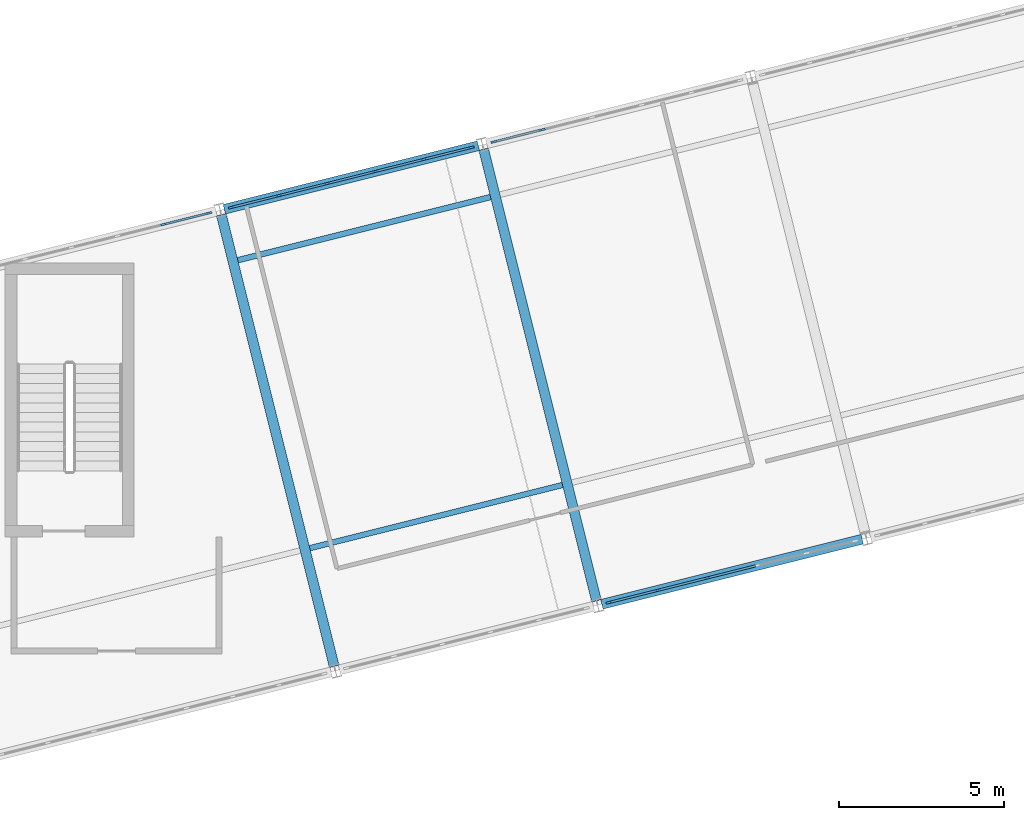
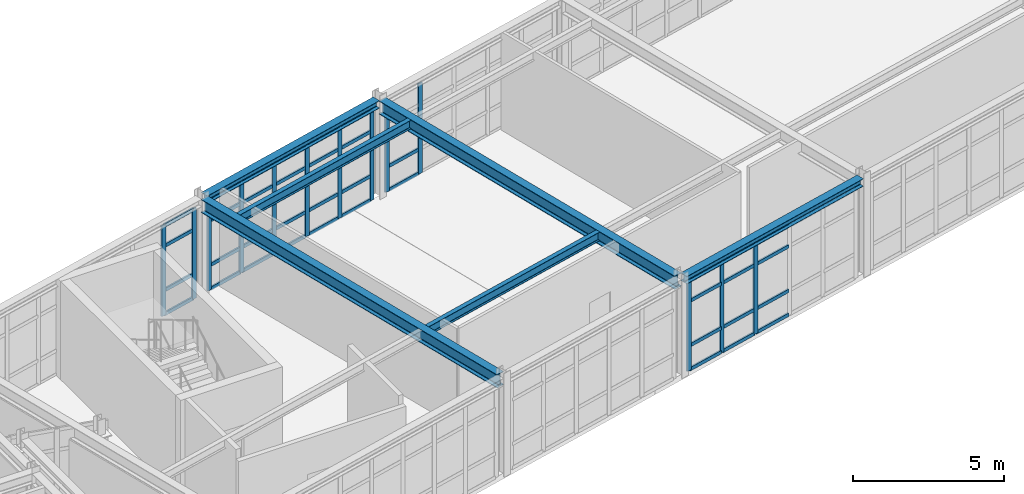
# One storey, part 19 of 76: 51 members, 6 beams, 4 elements without a shape of their own.
"""IFC4 building model written with IfcOpenShell, lengths in metres."""

from ifc_helpers import new_model, si_unit, direction, frame, origin, origin_2d, place, context, subcontext, project, spatial, rectangle, i_section, extrude, material, layer, layer_set, material_profile, profile_set, type_object, element, aggregate, save


model = new_model("IFC4")

# Units and contexts
model_context = context("Model", 3, precision=1e-05, world=origin(), true_north=direction((0.0, 1.0)))
body_context = subcontext(model_context, "Body", "Model", "MODEL_VIEW")
ifc_project = project(units=[si_unit("LENGTHUNIT", "METRE"), si_unit("AREAUNIT", "SQUARE_METRE"), si_unit("VOLUMEUNIT", "CUBIC_METRE"), si_unit("PLANEANGLEUNIT", "RADIAN"), si_unit("MASSUNIT", "GRAM", prefix="KILO")], contexts=[model_context])

# Site, building, storey
site_placement = place(None, origin())
site = spatial("IfcSite", under=ifc_project, at=site_placement, CompositionType="ELEMENT")
building_placement = place(site_placement, origin())
building = spatial("IfcBuilding", under=site, at=building_placement, Name="Nordkorset Police Headquarters", CompositionType="ELEMENT")
storey_placement = place(building_placement, frame((0.0, 0.0, 13.64990234375)))
storey = spatial("IfcBuildingStorey", under=building, at=storey_placement, Name="L03", CompositionType="ELEMENT", Elevation=13.64990234375)

# Beams
ifc_material_1 = material(Name="Steel S355J2", Category="steel")
ifc_material_profile_1 = material_profile(ifc_material_1, i_section(OverallWidth=0.169921875, OverallDepth=0.360107421875, WebThickness=0.008056640625, FlangeThickness=0.0126953125, FilletRadius=0.01806640625, at=origin_2d()), Name="IPE 360")
ifc_profile_set_1 = profile_set([ifc_material_profile_1], Name="Steel S355J2")
beam_type_1 = type_object("IfcBeamType", Name="Beam_IPE_360", PredefinedType="BEAM", material=ifc_profile_set_1)
for number, where, z_axis, x_axis, name in (
    (1, (34.65966796875, 48.681884765625, 3.800048828125), (0.970142500145, 0.242535625036, 0.0), (-0.242535625036, 0.970142500145, 0.0), "Splayed Wing Secondary Beam L03 1-1"),
    (2, (32.476806640625, 57.4130859375, 3.800048828125), (0.970142500145, 0.242535625036, 0.0), (-0.242535625036, 0.970142500145, 0.0), "Splayed Wing Secondary Beam L03 1-2"),
):
    element("IfcBeam", number, at=place(storey_placement, frame(where, z_axis=z_axis, x_axis=x_axis)), inside=storey, type_object=beam_type_1, Name=name, PredefinedType="BEAM", context=body_context, shape_type="SweptSolid", body=[
        extrude(i_section(OverallWidth=0.169921875, OverallDepth=0.360107421875, WebThickness=0.008056640625, FlangeThickness=0.0126953125, FilletRadius=0.01806640625, at=origin_2d()), origin(), (0.0, 0.0, 1.0), 7.89990234375),
    ])

# Curtain wall, members
ifc_material_2 = material(Name="Aluminium alloy AW-6060", Category="aluminium")
ifc_layer_1 = layer(ifc_material_2, 0.179931640625, Name="Aluminium alloy AW-6060")
ifc_layer_set_1 = layer_set([ifc_layer_1], Name="Aluminium alloy AW-6060")
curtain_wall_type_1 = type_object("IfcCurtainWallType", Name="CW_Unit_1156x365", PredefinedType="USERDEFINED", material=ifc_layer_set_1)
curtain_wall_1_placement = place(storey_placement, origin())
curtain_wall_1 = element("IfcCurtainWall", 3, at=curtain_wall_1_placement, inside=storey, type_object=curtain_wall_type_1, Name="Unitised Curtain Wall L03 V4N-0", ObjectType="UNITISED CURTAIN WALL", PredefinedType="USERDEFINED")
ifc_material_3 = material(Name="Aluminium alloy AW-6060", Category="aluminium")
ifc_material_profile_2 = material_profile(ifc_material_3, rectangle(XDim=0.06494140625, YDim=0.179931640625, at=origin_2d()), Name="ALU MULL 65x180")
ifc_profile_set_2 = profile_set([ifc_material_profile_2], Name="Aluminium alloy AW-6060")
member_type_1 = type_object("IfcMemberType", Name="CW_Mullion_65x180", PredefinedType="MULLION", material=ifc_profile_set_2)
member_1_placement = place(storey_placement, frame((30.23095703125, 58.5009765625, 0.0), z_axis=(0.0, 0.0, 1.0), x_axis=(-0.242536235663, 0.970142347489, 0.0)))
member_1 = element("IfcMember", 4, at=member_1_placement, type_object=member_type_1, Name="CW-38 mullion 8", PredefinedType="MULLION", context=body_context, shape_type="SweptSolid", body=[
    extrude(rectangle(XDim=0.06494140625, YDim=0.179931640625, at=origin_2d()), origin(), (0.0, 0.0, 1.0), 3.650146484375),
])
member_2_placement = place(storey_placement, frame((31.601318359375, 58.843505859375, 0.0), z_axis=(0.0, 0.0, 1.0), x_axis=(-0.242536235663, 0.970142347489, 0.0)))
member_2 = element("IfcMember", 5, at=member_2_placement, type_object=member_type_1, Name="CW-38 mullion 9", PredefinedType="MULLION", context=body_context, shape_type="SweptSolid", body=[
    extrude(rectangle(XDim=0.06494140625, YDim=0.179931640625, at=origin_2d()), origin(), (0.0, 0.0, 1.0), 3.650146484375),
])

ifc_material_4 = material(Name="Aluminium alloy AW-6060", Category="aluminium")
ifc_layer_2 = layer(ifc_material_4, 0.179931640625, Name="Aluminium alloy AW-6060")
ifc_layer_set_2 = layer_set([ifc_layer_2], Name="Aluminium alloy AW-6060")
curtain_wall_type_2 = type_object("IfcCurtainWallType", Name="CW_Unit_756x365", PredefinedType="USERDEFINED", material=ifc_layer_set_2)
curtain_wall_2_placement = place(storey_placement, origin())
curtain_wall_2 = element("IfcCurtainWall", 6, at=curtain_wall_2_placement, inside=storey, type_object=curtain_wall_type_2, Name="Unitised Curtain Wall L03 V4N-1", ObjectType="UNITISED CURTAIN WALL", PredefinedType="USERDEFINED")
member_3_placement = place(storey_placement, frame((32.28515625, 59.014404296875, 0.0), z_axis=(0.0, 0.0, 1.0), x_axis=(-0.242535625038, 0.970142500145, 0.0)))
member_3 = element("IfcMember", 7, at=member_3_placement, type_object=member_type_1, Name="CW-104 mullion 1", PredefinedType="MULLION", context=body_context, shape_type="SweptSolid", body=[
    extrude(rectangle(XDim=0.06494140625, YDim=0.179931640625, at=origin_2d()), origin(), (0.0, 0.0, 1.0), 3.650146484375),
])
member_4_placement = place(storey_placement, frame((33.720458984375, 59.373291015625, 0.0), z_axis=(0.0, 0.0, 1.0), x_axis=(-0.242535625038, 0.970142500145, 0.0)))
member_4 = element("IfcMember", 8, at=member_4_placement, type_object=member_type_1, Name="CW-104 mullion 2", PredefinedType="MULLION", context=body_context, shape_type="SweptSolid", body=[
    extrude(rectangle(XDim=0.06494140625, YDim=0.179931640625, at=origin_2d()), origin(), (0.0, 0.0, 1.0), 3.650146484375),
])
member_5_placement = place(storey_placement, frame((35.1875, 59.739990234375, 0.0), z_axis=(0.0, 0.0, 1.0), x_axis=(-0.242535625038, 0.970142500145, 0.0)))
member_5 = element("IfcMember", 9, at=member_5_placement, type_object=member_type_1, Name="CW-104 mullion 3", PredefinedType="MULLION", context=body_context, shape_type="SweptSolid", body=[
    extrude(rectangle(XDim=0.06494140625, YDim=0.179931640625, at=origin_2d()), origin(), (0.0, 0.0, 1.0), 3.650146484375),
])
member_6_placement = place(storey_placement, frame((36.654296875, 60.106689453125, 0.0), z_axis=(0.0, 0.0, 1.0), x_axis=(-0.242535625038, 0.970142500145, 0.0)))
member_6 = element("IfcMember", 10, at=member_6_placement, type_object=member_type_1, Name="CW-104 mullion 4", PredefinedType="MULLION", context=body_context, shape_type="SweptSolid", body=[
    extrude(rectangle(XDim=0.06494140625, YDim=0.179931640625, at=origin_2d()), origin(), (0.0, 0.0, 1.0), 3.650146484375),
])
member_7_placement = place(storey_placement, frame((38.12109375, 60.473388671875, 0.0), z_axis=(0.0, 0.0, 1.0), x_axis=(-0.242535625038, 0.970142500145, 0.0)))
member_7 = element("IfcMember", 11, at=member_7_placement, type_object=member_type_1, Name="CW-104 mullion 5", PredefinedType="MULLION", context=body_context, shape_type="SweptSolid", body=[
    extrude(rectangle(XDim=0.06494140625, YDim=0.179931640625, at=origin_2d()), origin(), (0.0, 0.0, 1.0), 3.650146484375),
])
member_8_placement = place(storey_placement, frame((39.556396484375, 60.832275390625, 0.0), z_axis=(0.0, 0.0, 1.0), x_axis=(-0.242535625038, 0.970142500145, 0.0)))
member_8 = element("IfcMember", 12, at=member_8_placement, type_object=member_type_1, Name="CW-104 mullion 6", PredefinedType="MULLION", context=body_context, shape_type="SweptSolid", body=[
    extrude(rectangle(XDim=0.06494140625, YDim=0.179931640625, at=origin_2d()), origin(), (0.0, 0.0, 1.0), 3.650146484375),
])

ifc_material_5 = material(Name="Aluminium alloy AW-6060", Category="aluminium")
ifc_layer_3 = layer(ifc_material_5, 0.179931640625, Name="Aluminium alloy AW-6060")
ifc_layer_set_3 = layer_set([ifc_layer_3], Name="Aluminium alloy AW-6060")
curtain_wall_type_3 = type_object("IfcCurtainWallType", Name="CW_Unit_776x365", PredefinedType="USERDEFINED", material=ifc_layer_set_3)
curtain_wall_3_placement = place(storey_placement, origin())
curtain_wall_3 = element("IfcCurtainWall", 13, at=curtain_wall_3_placement, inside=storey, type_object=curtain_wall_type_3, Name="Unitised Curtain Wall L03 V4S-2", ObjectType="UNITISED CURTAIN WALL", PredefinedType="USERDEFINED")
member_9_placement = place(storey_placement, frame((43.73291015625, 47.033203125, 0.0), z_axis=(0.0, 0.0, 1.0), x_axis=(-0.24253471539, 0.970142727556, 0.0)))
member_9 = element("IfcMember", 14, at=member_9_placement, type_object=member_type_1, Name="CW-42 mullion 1", PredefinedType="MULLION", context=body_context, shape_type="SweptSolid", body=[
    extrude(rectangle(XDim=0.06494140625, YDim=0.179931640625, at=origin_2d()), origin(), (0.0, 0.0, 1.0), 3.650146484375),
])
member_10_placement = place(storey_placement, frame((45.20703125, 47.40185546875, 0.0), z_axis=(0.0, 0.0, 1.0), x_axis=(-0.24253471539, 0.970142727556, 0.0)))
member_10 = element("IfcMember", 15, at=member_10_placement, type_object=member_type_1, Name="CW-42 mullion 2", PredefinedType="MULLION", context=body_context, shape_type="SweptSolid", body=[
    extrude(rectangle(XDim=0.06494140625, YDim=0.179931640625, at=origin_2d()), origin(), (0.0, 0.0, 1.0), 3.650146484375),
])
member_11_placement = place(storey_placement, frame((46.712646484375, 47.778076171875, 0.0), z_axis=(0.0, 0.0, 1.0), x_axis=(-0.24253471539, 0.970142727556, 0.0)))
member_11 = element("IfcMember", 16, at=member_11_placement, type_object=member_type_1, Name="CW-42 mullion 3", PredefinedType="MULLION", context=body_context, shape_type="SweptSolid", body=[
    extrude(rectangle(XDim=0.06494140625, YDim=0.179931640625, at=origin_2d()), origin(), (0.0, 0.0, 1.0), 3.650146484375),
])

curtain_wall_4_placement = place(storey_placement, origin())
curtain_wall_4 = element("IfcCurtainWall", 17, at=curtain_wall_4_placement, inside=storey, type_object=curtain_wall_type_3, Name="Unitised Curtain Wall L03 V4N-2", ObjectType="UNITISED CURTAIN WALL", PredefinedType="USERDEFINED")
member_12_placement = place(storey_placement, frame((40.240478515625, 61.003173828125, 0.0), z_axis=(0.0, 0.0, 1.0), x_axis=(-0.242535928242, 0.970142424344, 0.0)))
member_12 = element("IfcMember", 18, at=member_12_placement, type_object=member_type_1, Name="CW-42 mullion 1", PredefinedType="MULLION", context=body_context, shape_type="SweptSolid", body=[
    extrude(rectangle(XDim=0.06494140625, YDim=0.179931640625, at=origin_2d()), origin(), (0.0, 0.0, 1.0), 3.650146484375),
])
member_13_placement = place(storey_placement, frame((41.714599609375, 61.371826171875, 0.0), z_axis=(0.0, 0.0, 1.0), x_axis=(-0.242535928242, 0.970142424344, 0.0)))
member_13 = element("IfcMember", 19, at=member_13_placement, type_object=member_type_1, Name="CW-42 mullion 2", PredefinedType="MULLION", context=body_context, shape_type="SweptSolid", body=[
    extrude(rectangle(XDim=0.06494140625, YDim=0.179931640625, at=origin_2d()), origin(), (0.0, 0.0, 1.0), 3.650146484375),
])

# Member
ifc_material_6 = material(Name="Aluminium alloy AW-6060", Category="aluminium")
ifc_material_profile_3 = material_profile(ifc_material_6, rectangle(XDim=0.06494140625, YDim=0.139892578125, at=origin_2d()), Name="ALU TRAN 65x140")
ifc_profile_set_3 = profile_set([ifc_material_profile_3], Name="Aluminium alloy AW-6060")
member_type_2 = type_object("IfcMemberType", Name="CW_Transom_65x140", PredefinedType="USERDEFINED", material=ifc_profile_set_3)
member_14_placement = place(storey_placement, frame((30.262451171875, 58.5087890625, 0.03271484375), z_axis=(0.970131842518, 0.242578251565, 0.0), x_axis=(-0.242578251565, 0.970131842518, 0.0)))
member_14 = element("IfcMember", 20, at=member_14_placement, type_object=member_type_2, Name="CW-38 transom 8.1", ObjectType="TRANSOM", PredefinedType="USERDEFINED", context=body_context, shape_type="SweptSolid", body=[
    extrude(rectangle(XDim=0.06494140625, YDim=0.139892578125, at=origin_2d()), origin(), (0.0, 0.0, 1.0), 1.34765625),
])

member_15_placement = place(storey_placement, frame((30.262451171875, 58.5087890625, 1.0), z_axis=(0.970131842518, 0.242578251565, 0.0), x_axis=(-0.242578251565, 0.970131842518, 0.0)))
member_15 = element("IfcMember", 21, at=member_15_placement, type_object=member_type_2, Name="CW-38 transom 8.2", ObjectType="TRANSOM", PredefinedType="USERDEFINED", context=body_context, shape_type="SweptSolid", body=[
    extrude(rectangle(XDim=0.06494140625, YDim=0.139892578125, at=origin_2d()), origin(), (0.0, 0.0, 1.0), 1.34765625),
])

member_16_placement = place(storey_placement, frame((30.262451171875, 58.5087890625, 2.800048828125), z_axis=(0.970131842518, 0.242578251565, 0.0), x_axis=(-0.242578251565, 0.970131842518, 0.0)))
member_16 = element("IfcMember", 22, at=member_16_placement, type_object=member_type_2, Name="CW-38 transom 8.3", ObjectType="TRANSOM", PredefinedType="USERDEFINED", context=body_context, shape_type="SweptSolid", body=[
    extrude(rectangle(XDim=0.06494140625, YDim=0.139892578125, at=origin_2d()), origin(), (0.0, 0.0, 1.0), 1.34765625),
])

member_17_placement = place(storey_placement, frame((30.262451171875, 58.5087890625, 3.61767578125), z_axis=(0.970131842518, 0.242578251565, 0.0), x_axis=(-0.242578251565, 0.970131842518, 0.0)))
member_17 = element("IfcMember", 23, at=member_17_placement, type_object=member_type_2, Name="CW-38 transom 8.4", ObjectType="TRANSOM", PredefinedType="USERDEFINED", context=body_context, shape_type="SweptSolid", body=[
    extrude(rectangle(XDim=0.06494140625, YDim=0.139892578125, at=origin_2d()), origin(), (0.0, 0.0, 1.0), 1.34765625),
])

aggregate(curtain_wall_1, [member_1, member_2, member_14, member_15, member_16, member_17])

member_18_placement = place(storey_placement, frame((32.316650390625, 59.0224609375, 0.03271484375), z_axis=(0.970152651902, 0.242495014396, 0.0), x_axis=(-0.242495014396, 0.970152651902, 0.0)))
member_18 = element("IfcMember", 24, at=member_18_placement, type_object=member_type_2, Name="CW-104 transom 1.1", ObjectType="TRANSOM", PredefinedType="USERDEFINED", context=body_context, shape_type="SweptSolid", body=[
    extrude(rectangle(XDim=0.06494140625, YDim=0.139892578125, at=origin_2d()), origin(), (0.0, 0.0, 1.0), 1.41455078125),
])

member_19_placement = place(storey_placement, frame((32.316650390625, 59.0224609375, 1.0), z_axis=(0.970152651902, 0.242495014396, 0.0), x_axis=(-0.242495014396, 0.970152651902, 0.0)))
member_19 = element("IfcMember", 25, at=member_19_placement, type_object=member_type_2, Name="CW-104 transom 1.2", ObjectType="TRANSOM", PredefinedType="USERDEFINED", context=body_context, shape_type="SweptSolid", body=[
    extrude(rectangle(XDim=0.06494140625, YDim=0.139892578125, at=origin_2d()), origin(), (0.0, 0.0, 1.0), 1.41455078125),
])

member_20_placement = place(storey_placement, frame((32.316650390625, 59.0224609375, 2.800048828125), z_axis=(0.970152651902, 0.242495014396, 0.0), x_axis=(-0.242495014396, 0.970152651902, 0.0)))
member_20 = element("IfcMember", 26, at=member_20_placement, type_object=member_type_2, Name="CW-104 transom 1.3", ObjectType="TRANSOM", PredefinedType="USERDEFINED", context=body_context, shape_type="SweptSolid", body=[
    extrude(rectangle(XDim=0.06494140625, YDim=0.139892578125, at=origin_2d()), origin(), (0.0, 0.0, 1.0), 1.41455078125),
])

member_21_placement = place(storey_placement, frame((32.316650390625, 59.0224609375, 3.61767578125), z_axis=(0.970152651902, 0.242495014396, 0.0), x_axis=(-0.242495014396, 0.970152651902, 0.0)))
member_21 = element("IfcMember", 27, at=member_21_placement, type_object=member_type_2, Name="CW-104 transom 1.4", ObjectType="TRANSOM", PredefinedType="USERDEFINED", context=body_context, shape_type="SweptSolid", body=[
    extrude(rectangle(XDim=0.06494140625, YDim=0.139892578125, at=origin_2d()), origin(), (0.0, 0.0, 1.0), 1.41455078125),
])

member_22_placement = place(storey_placement, frame((33.751953125, 59.381103515625, 0.03271484375), z_axis=(0.97012264784, 0.242615020451, 0.0), x_axis=(-0.242615020451, 0.97012264784, 0.0)))
member_22 = element("IfcMember", 28, at=member_22_placement, type_object=member_type_2, Name="CW-104 transom 2.1", ObjectType="TRANSOM", PredefinedType="USERDEFINED", context=body_context, shape_type="SweptSolid", body=[
    extrude(rectangle(XDim=0.06494140625, YDim=0.139892578125, at=origin_2d()), origin(), (0.0, 0.0, 1.0), 1.447021484375),
])

member_23_placement = place(storey_placement, frame((33.751953125, 59.381103515625, 1.0), z_axis=(0.97012264784, 0.242615020451, 0.0), x_axis=(-0.242615020451, 0.97012264784, 0.0)))
member_23 = element("IfcMember", 29, at=member_23_placement, type_object=member_type_2, Name="CW-104 transom 2.2", ObjectType="TRANSOM", PredefinedType="USERDEFINED", context=body_context, shape_type="SweptSolid", body=[
    extrude(rectangle(XDim=0.06494140625, YDim=0.139892578125, at=origin_2d()), origin(), (0.0, 0.0, 1.0), 1.447021484375),
])

member_24_placement = place(storey_placement, frame((33.751953125, 59.381103515625, 2.800048828125), z_axis=(0.97012264784, 0.242615020451, 0.0), x_axis=(-0.242615020451, 0.97012264784, 0.0)))
member_24 = element("IfcMember", 30, at=member_24_placement, type_object=member_type_2, Name="CW-104 transom 2.3", ObjectType="TRANSOM", PredefinedType="USERDEFINED", context=body_context, shape_type="SweptSolid", body=[
    extrude(rectangle(XDim=0.06494140625, YDim=0.139892578125, at=origin_2d()), origin(), (0.0, 0.0, 1.0), 1.447021484375),
])

member_25_placement = place(storey_placement, frame((33.751953125, 59.381103515625, 3.61767578125), z_axis=(0.97012264784, 0.242615020451, 0.0), x_axis=(-0.242615020451, 0.97012264784, 0.0)))
member_25 = element("IfcMember", 31, at=member_25_placement, type_object=member_type_2, Name="CW-104 transom 2.4", ObjectType="TRANSOM", PredefinedType="USERDEFINED", context=body_context, shape_type="SweptSolid", body=[
    extrude(rectangle(XDim=0.06494140625, YDim=0.139892578125, at=origin_2d()), origin(), (0.0, 0.0, 1.0), 1.447021484375),
])

member_26_placement = place(storey_placement, frame((35.218994140625, 59.747802734375, 0.03271484375), z_axis=(0.97012264784, 0.242615020451, 0.0), x_axis=(-0.242615020451, 0.97012264784, 0.0)))
member_26 = element("IfcMember", 32, at=member_26_placement, type_object=member_type_2, Name="CW-104 transom 3.1", ObjectType="TRANSOM", PredefinedType="USERDEFINED", context=body_context, shape_type="SweptSolid", body=[
    extrude(rectangle(XDim=0.06494140625, YDim=0.139892578125, at=origin_2d()), origin(), (0.0, 0.0, 1.0), 1.447021484375),
])

member_27_placement = place(storey_placement, frame((35.218994140625, 59.747802734375, 1.0), z_axis=(0.97012264784, 0.242615020451, 0.0), x_axis=(-0.242615020451, 0.97012264784, 0.0)))
member_27 = element("IfcMember", 33, at=member_27_placement, type_object=member_type_2, Name="CW-104 transom 3.2", ObjectType="TRANSOM", PredefinedType="USERDEFINED", context=body_context, shape_type="SweptSolid", body=[
    extrude(rectangle(XDim=0.06494140625, YDim=0.139892578125, at=origin_2d()), origin(), (0.0, 0.0, 1.0), 1.447021484375),
])

member_28_placement = place(storey_placement, frame((35.218994140625, 59.747802734375, 2.800048828125), z_axis=(0.97012264784, 0.242615020451, 0.0), x_axis=(-0.242615020451, 0.97012264784, 0.0)))
member_28 = element("IfcMember", 34, at=member_28_placement, type_object=member_type_2, Name="CW-104 transom 3.3", ObjectType="TRANSOM", PredefinedType="USERDEFINED", context=body_context, shape_type="SweptSolid", body=[
    extrude(rectangle(XDim=0.06494140625, YDim=0.139892578125, at=origin_2d()), origin(), (0.0, 0.0, 1.0), 1.447021484375),
])

member_29_placement = place(storey_placement, frame((35.218994140625, 59.747802734375, 3.61767578125), z_axis=(0.97012264784, 0.242615020451, 0.0), x_axis=(-0.242615020451, 0.97012264784, 0.0)))
member_29 = element("IfcMember", 35, at=member_29_placement, type_object=member_type_2, Name="CW-104 transom 3.4", ObjectType="TRANSOM", PredefinedType="USERDEFINED", context=body_context, shape_type="SweptSolid", body=[
    extrude(rectangle(XDim=0.06494140625, YDim=0.139892578125, at=origin_2d()), origin(), (0.0, 0.0, 1.0), 1.447021484375),
])

member_30_placement = place(storey_placement, frame((36.685791015625, 60.11474609375, 0.03271484375), z_axis=(0.970162346765, 0.242456224748, 0.0), x_axis=(-0.242456224748, 0.970162346765, 0.0)))
member_30 = element("IfcMember", 36, at=member_30_placement, type_object=member_type_2, Name="CW-104 transom 4.1", ObjectType="TRANSOM", PredefinedType="USERDEFINED", context=body_context, shape_type="SweptSolid", body=[
    extrude(rectangle(XDim=0.06494140625, YDim=0.139892578125, at=origin_2d()), origin(), (0.0, 0.0, 1.0), 1.447021484375),
])

member_31_placement = place(storey_placement, frame((36.685791015625, 60.11474609375, 1.0), z_axis=(0.970162346765, 0.242456224748, 0.0), x_axis=(-0.242456224748, 0.970162346765, 0.0)))
member_31 = element("IfcMember", 37, at=member_31_placement, type_object=member_type_2, Name="CW-104 transom 4.2", ObjectType="TRANSOM", PredefinedType="USERDEFINED", context=body_context, shape_type="SweptSolid", body=[
    extrude(rectangle(XDim=0.06494140625, YDim=0.139892578125, at=origin_2d()), origin(), (0.0, 0.0, 1.0), 1.447021484375),
])

member_32_placement = place(storey_placement, frame((36.685791015625, 60.11474609375, 2.800048828125), z_axis=(0.970162346765, 0.242456224748, 0.0), x_axis=(-0.242456224748, 0.970162346765, 0.0)))
member_32 = element("IfcMember", 38, at=member_32_placement, type_object=member_type_2, Name="CW-104 transom 4.3", ObjectType="TRANSOM", PredefinedType="USERDEFINED", context=body_context, shape_type="SweptSolid", body=[
    extrude(rectangle(XDim=0.06494140625, YDim=0.139892578125, at=origin_2d()), origin(), (0.0, 0.0, 1.0), 1.447021484375),
])

member_33_placement = place(storey_placement, frame((36.685791015625, 60.11474609375, 3.61767578125), z_axis=(0.970162346765, 0.242456224748, 0.0), x_axis=(-0.242456224748, 0.970162346765, 0.0)))
member_33 = element("IfcMember", 39, at=member_33_placement, type_object=member_type_2, Name="CW-104 transom 4.4", ObjectType="TRANSOM", PredefinedType="USERDEFINED", context=body_context, shape_type="SweptSolid", body=[
    extrude(rectangle(XDim=0.06494140625, YDim=0.139892578125, at=origin_2d()), origin(), (0.0, 0.0, 1.0), 1.447021484375),
])

member_34_placement = place(storey_placement, frame((38.152587890625, 60.4814453125, 0.03271484375), z_axis=(0.970152651902, 0.242495014396, 0.0), x_axis=(-0.242495014396, 0.970152651902, 0.0)))
member_34 = element("IfcMember", 40, at=member_34_placement, type_object=member_type_2, Name="CW-104 transom 5.1", ObjectType="TRANSOM", PredefinedType="USERDEFINED", context=body_context, shape_type="SweptSolid", body=[
    extrude(rectangle(XDim=0.06494140625, YDim=0.139892578125, at=origin_2d()), origin(), (0.0, 0.0, 1.0), 1.41455078125),
])

member_35_placement = place(storey_placement, frame((38.152587890625, 60.4814453125, 1.0), z_axis=(0.970152651902, 0.242495014396, 0.0), x_axis=(-0.242495014396, 0.970152651902, 0.0)))
member_35 = element("IfcMember", 41, at=member_35_placement, type_object=member_type_2, Name="CW-104 transom 5.2", ObjectType="TRANSOM", PredefinedType="USERDEFINED", context=body_context, shape_type="SweptSolid", body=[
    extrude(rectangle(XDim=0.06494140625, YDim=0.139892578125, at=origin_2d()), origin(), (0.0, 0.0, 1.0), 1.41455078125),
])

member_36_placement = place(storey_placement, frame((38.152587890625, 60.4814453125, 2.800048828125), z_axis=(0.970152651902, 0.242495014396, 0.0), x_axis=(-0.242495014396, 0.970152651902, 0.0)))
member_36 = element("IfcMember", 42, at=member_36_placement, type_object=member_type_2, Name="CW-104 transom 5.3", ObjectType="TRANSOM", PredefinedType="USERDEFINED", context=body_context, shape_type="SweptSolid", body=[
    extrude(rectangle(XDim=0.06494140625, YDim=0.139892578125, at=origin_2d()), origin(), (0.0, 0.0, 1.0), 1.41455078125),
])

member_37_placement = place(storey_placement, frame((38.152587890625, 60.4814453125, 3.61767578125), z_axis=(0.970152651902, 0.242495014396, 0.0), x_axis=(-0.242495014396, 0.970152651902, 0.0)))
member_37 = element("IfcMember", 43, at=member_37_placement, type_object=member_type_2, Name="CW-104 transom 5.4", ObjectType="TRANSOM", PredefinedType="USERDEFINED", context=body_context, shape_type="SweptSolid", body=[
    extrude(rectangle(XDim=0.06494140625, YDim=0.139892578125, at=origin_2d()), origin(), (0.0, 0.0, 1.0), 1.41455078125),
])

aggregate(curtain_wall_2, [member_3, member_4, member_5, member_6, member_7, member_8, member_18, member_19, member_20, member_21, member_22, member_23, member_24, member_25, member_26, member_27, member_28, member_29, member_30, member_31, member_32, member_33, member_34, member_35, member_36, member_37])

member_38_placement = place(storey_placement, frame((43.764404296875, 47.041015625, 0.03271484375), z_axis=(0.970142500145, 0.242535625036, 0.0), x_axis=(-0.242535625036, 0.970142500145, 0.0)))
member_38 = element("IfcMember", 44, at=member_38_placement, type_object=member_type_2, Name="CW-42 transom 1.1", ObjectType="TRANSOM", PredefinedType="USERDEFINED", context=body_context, shape_type="SweptSolid", body=[
    extrude(rectangle(XDim=0.06494140625, YDim=0.139892578125, at=origin_2d()), origin(), (0.0, 0.0, 1.0), 1.45458984375),
])

member_39_placement = place(storey_placement, frame((43.764404296875, 47.041015625, 1.0), z_axis=(0.970142500145, 0.242535625036, 0.0), x_axis=(-0.242535625036, 0.970142500145, 0.0)))
member_39 = element("IfcMember", 45, at=member_39_placement, type_object=member_type_2, Name="CW-42 transom 1.2", ObjectType="TRANSOM", PredefinedType="USERDEFINED", context=body_context, shape_type="SweptSolid", body=[
    extrude(rectangle(XDim=0.06494140625, YDim=0.139892578125, at=origin_2d()), origin(), (0.0, 0.0, 1.0), 1.45458984375),
])

member_40_placement = place(storey_placement, frame((43.764404296875, 47.041015625, 2.800048828125), z_axis=(0.970142500145, 0.242535625036, 0.0), x_axis=(-0.242535625036, 0.970142500145, 0.0)))
member_40 = element("IfcMember", 46, at=member_40_placement, type_object=member_type_2, Name="CW-42 transom 1.3", ObjectType="TRANSOM", PredefinedType="USERDEFINED", context=body_context, shape_type="SweptSolid", body=[
    extrude(rectangle(XDim=0.06494140625, YDim=0.139892578125, at=origin_2d()), origin(), (0.0, 0.0, 1.0), 1.45458984375),
])

member_41_placement = place(storey_placement, frame((43.764404296875, 47.041015625, 3.61767578125), z_axis=(0.970142500145, 0.242535625036, 0.0), x_axis=(-0.242535625036, 0.970142500145, 0.0)))
member_41 = element("IfcMember", 47, at=member_41_placement, type_object=member_type_2, Name="CW-42 transom 1.4", ObjectType="TRANSOM", PredefinedType="USERDEFINED", context=body_context, shape_type="SweptSolid", body=[
    extrude(rectangle(XDim=0.06494140625, YDim=0.139892578125, at=origin_2d()), origin(), (0.0, 0.0, 1.0), 1.45458984375),
])

member_42_placement = place(storey_placement, frame((45.238525390625, 47.40966796875, 0.03271484375), z_axis=(0.970152157148, 0.242496993757, 0.0), x_axis=(-0.242496993757, 0.970152157148, 0.0)))
member_42 = element("IfcMember", 48, at=member_42_placement, type_object=member_type_2, Name="CW-42 transom 2.1", ObjectType="TRANSOM", PredefinedType="USERDEFINED", context=body_context, shape_type="SweptSolid", body=[
    extrude(rectangle(XDim=0.06494140625, YDim=0.139892578125, at=origin_2d()), origin(), (0.0, 0.0, 1.0), 1.487060546875),
])

member_43_placement = place(storey_placement, frame((45.238525390625, 47.40966796875, 1.0), z_axis=(0.970152157148, 0.242496993757, 0.0), x_axis=(-0.242496993757, 0.970152157148, 0.0)))
member_43 = element("IfcMember", 49, at=member_43_placement, type_object=member_type_2, Name="CW-42 transom 2.2", ObjectType="TRANSOM", PredefinedType="USERDEFINED", context=body_context, shape_type="SweptSolid", body=[
    extrude(rectangle(XDim=0.06494140625, YDim=0.139892578125, at=origin_2d()), origin(), (0.0, 0.0, 1.0), 1.487060546875),
])

member_44_placement = place(storey_placement, frame((45.238525390625, 47.40966796875, 2.800048828125), z_axis=(0.970152157148, 0.242496993757, 0.0), x_axis=(-0.242496993757, 0.970152157148, 0.0)))
member_44 = element("IfcMember", 50, at=member_44_placement, type_object=member_type_2, Name="CW-42 transom 2.3", ObjectType="TRANSOM", PredefinedType="USERDEFINED", context=body_context, shape_type="SweptSolid", body=[
    extrude(rectangle(XDim=0.06494140625, YDim=0.139892578125, at=origin_2d()), origin(), (0.0, 0.0, 1.0), 1.487060546875),
])

member_45_placement = place(storey_placement, frame((45.238525390625, 47.40966796875, 3.61767578125), z_axis=(0.970152157148, 0.242496993757, 0.0), x_axis=(-0.242496993757, 0.970152157148, 0.0)))
member_45 = element("IfcMember", 51, at=member_45_placement, type_object=member_type_2, Name="CW-42 transom 2.4", ObjectType="TRANSOM", PredefinedType="USERDEFINED", context=body_context, shape_type="SweptSolid", body=[
    extrude(rectangle(XDim=0.06494140625, YDim=0.139892578125, at=origin_2d()), origin(), (0.0, 0.0, 1.0), 1.487060546875),
])

member_46_placement = place(storey_placement, frame((46.744140625, 47.7861328125, 0.03271484375), z_axis=(0.970152157148, 0.242496993757, 0.0), x_axis=(-0.242496993757, 0.970152157148, 0.0)))
member_46 = element("IfcMember", 52, at=member_46_placement, type_object=member_type_2, Name="CW-42 transom 3.1", ObjectType="TRANSOM", PredefinedType="USERDEFINED", context=body_context, shape_type="SweptSolid", body=[
    extrude(rectangle(XDim=0.06494140625, YDim=0.139892578125, at=origin_2d()), origin(), (0.0, 0.0, 1.0), 1.487060546875),
])

member_47_placement = place(storey_placement, frame((46.744140625, 47.7861328125, 1.0), z_axis=(0.970152157148, 0.242496993757, 0.0), x_axis=(-0.242496993757, 0.970152157148, 0.0)))
member_47 = element("IfcMember", 53, at=member_47_placement, type_object=member_type_2, Name="CW-42 transom 3.2", ObjectType="TRANSOM", PredefinedType="USERDEFINED", context=body_context, shape_type="SweptSolid", body=[
    extrude(rectangle(XDim=0.06494140625, YDim=0.139892578125, at=origin_2d()), origin(), (0.0, 0.0, 1.0), 1.487060546875),
])

member_48_placement = place(storey_placement, frame((46.744140625, 47.7861328125, 2.800048828125), z_axis=(0.970152157148, 0.242496993757, 0.0), x_axis=(-0.242496993757, 0.970152157148, 0.0)))
member_48 = element("IfcMember", 54, at=member_48_placement, type_object=member_type_2, Name="CW-42 transom 3.3", ObjectType="TRANSOM", PredefinedType="USERDEFINED", context=body_context, shape_type="SweptSolid", body=[
    extrude(rectangle(XDim=0.06494140625, YDim=0.139892578125, at=origin_2d()), origin(), (0.0, 0.0, 1.0), 1.487060546875),
])

member_49_placement = place(storey_placement, frame((46.744140625, 47.7861328125, 3.61767578125), z_axis=(0.970152157148, 0.242496993757, 0.0), x_axis=(-0.242496993757, 0.970152157148, 0.0)))
member_49 = element("IfcMember", 55, at=member_49_placement, type_object=member_type_2, Name="CW-42 transom 3.4", ObjectType="TRANSOM", PredefinedType="USERDEFINED", context=body_context, shape_type="SweptSolid", body=[
    extrude(rectangle(XDim=0.06494140625, YDim=0.139892578125, at=origin_2d()), origin(), (0.0, 0.0, 1.0), 1.487060546875),
])

aggregate(curtain_wall_3, [member_9, member_10, member_11, member_38, member_39, member_40, member_41, member_42, member_43, member_44, member_45, member_46, member_47, member_48, member_49])

member_50_placement = place(storey_placement, frame((40.27197265625, 61.01123046875, 0.03271484375), z_axis=(0.970132624514, 0.242575124143, 0.0), x_axis=(-0.242575124143, 0.970132624514, 0.0)))
member_50 = element("IfcMember", 56, at=member_50_placement, type_object=member_type_2, Name="CW-42 transom 1.1", ObjectType="TRANSOM", PredefinedType="USERDEFINED", context=body_context, shape_type="SweptSolid", body=[
    extrude(rectangle(XDim=0.06494140625, YDim=0.139892578125, at=origin_2d()), origin(), (0.0, 0.0, 1.0), 1.454345703125),
])

member_51_placement = place(storey_placement, frame((40.27197265625, 61.01123046875, 1.0), z_axis=(0.970132624514, 0.242575124143, 0.0), x_axis=(-0.242575124143, 0.970132624514, 0.0)))
member_51 = element("IfcMember", 57, at=member_51_placement, type_object=member_type_2, Name="CW-42 transom 1.2", ObjectType="TRANSOM", PredefinedType="USERDEFINED", context=body_context, shape_type="SweptSolid", body=[
    extrude(rectangle(XDim=0.06494140625, YDim=0.139892578125, at=origin_2d()), origin(), (0.0, 0.0, 1.0), 1.454345703125),
])

aggregate(curtain_wall_4, [member_12, member_13, member_50, member_51])

# Beams
ifc_material_7 = material(Name="Steel S355J2", Category="steel")
ifc_material_profile_4 = material_profile(ifc_material_7, i_section(OverallWidth=0.300048828125, OverallDepth=0.5400390625, WebThickness=0.012451171875, FlangeThickness=0.02392578125, FilletRadius=0.027099609375, at=origin_2d()), Name="HEA 550")
ifc_profile_set_4 = profile_set([ifc_material_profile_4], Name="Steel S355J2")
beam_type_2 = type_object("IfcBeamType", Name="Girder_HEA_550", PredefinedType="USERDEFINED", material=ifc_profile_set_4)
for number, where, z_axis, x_axis, name in (
    (58, (35.40185546875, 45.0947265625, 3.710205078125), (-0.24253155672, 0.970143517215, 0.0), (-0.970143517215, -0.24253155672, 0.0), "Splayed Wing Transverse Girder L03 1"),
    (59, (43.35693359375, 47.08349609375, 3.710205078125), (-0.24253155672, 0.970143517215, 0.0), (-0.970143517215, -0.24253155672, 0.0), "Splayed Wing Transverse Girder L03 2"),
):
    element("IfcBeam", number, at=place(storey_placement, frame(where, z_axis=z_axis, x_axis=x_axis)), inside=storey, type_object=beam_type_2, Name=name, ObjectType="GIRDER", PredefinedType="USERDEFINED", context=body_context, shape_type="SweptSolid", body=[
        extrude(i_section(OverallWidth=0.300048828125, OverallDepth=0.5400390625, WebThickness=0.012451171875, FlangeThickness=0.02392578125, FilletRadius=0.027099609375, at=origin_2d()), origin(), (0.0, 0.0, 1.0), 14.1201171875),
    ])
ifc_material_8 = material(Name="Steel S355J2", Category="steel")
ifc_material_profile_5 = material_profile(ifc_material_8, i_section(OverallWidth=0.300048828125, OverallDepth=0.31005859375, WebThickness=0.009033203125, FlangeThickness=0.015380859375, FilletRadius=0.027099609375, at=origin_2d()), Name="HEA 320")
ifc_profile_set_5 = profile_set([ifc_material_profile_5], Name="Steel S355J2")
beam_type_3 = type_object("IfcBeamType", Name="Spandrel_HEA_320", PredefinedType="SPANDREL", material=ifc_profile_set_5)
beam_1_placement = place(storey_placement, frame((32.0693359375, 58.96044921875, 3.8251953125), z_axis=(0.970140691393, 0.242542859932, 0.0), x_axis=(-0.242542859932, 0.970140691393, 0.0)))
element("IfcBeam", 60, at=beam_1_placement, inside=storey, type_object=beam_type_3, Name="Splayed Wing Spandrel L03 1-1", PredefinedType="SPANDREL", context=body_context, shape_type="SweptSolid", body=[
    extrude(i_section(OverallWidth=0.300048828125, OverallDepth=0.31005859375, WebThickness=0.009033203125, FlangeThickness=0.015380859375, FilletRadius=0.027099609375, at=origin_2d()), origin(), (0.0, 0.0, 1.0), 7.93994140625),
])
beam_2_placement = place(storey_placement, frame((43.51708984375, 46.979248046875, 3.8251953125), z_axis=(0.970138971508, 0.242549739151, 0.0), x_axis=(-0.242549739151, 0.970138971508, 0.0)))
element("IfcBeam", 61, at=beam_2_placement, inside=storey, type_object=beam_type_3, Name="Splayed Wing Spandrel L03 2-0", PredefinedType="SPANDREL", context=body_context, shape_type="SweptSolid", body=[
    extrude(i_section(OverallWidth=0.300048828125, OverallDepth=0.31005859375, WebThickness=0.009033203125, FlangeThickness=0.015380859375, FilletRadius=0.027099609375, at=origin_2d()), origin(), (0.0, 0.0, 1.0), 8.14013671875),
])

save(model, "model.ifc")
